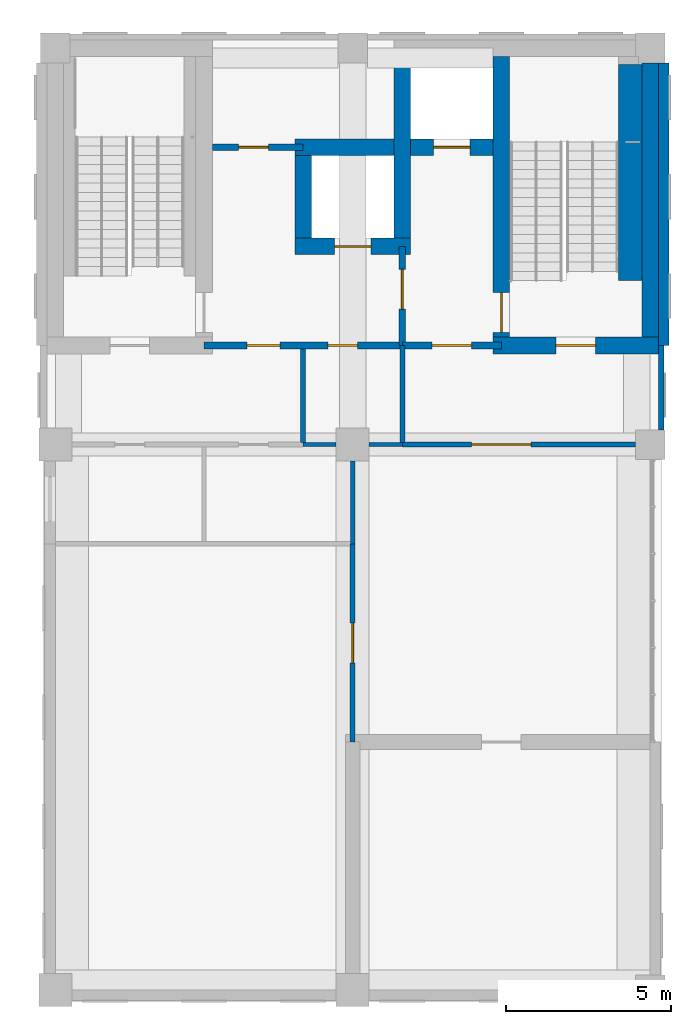
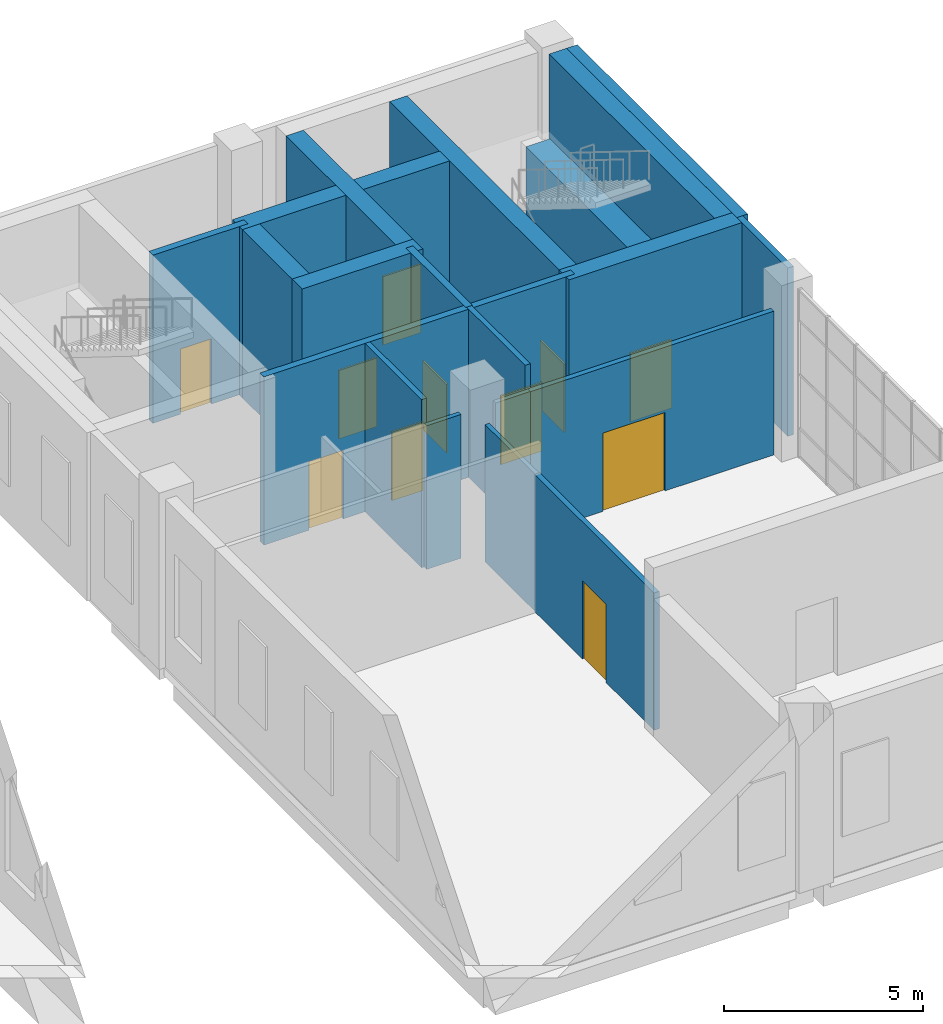
# One storey, part 24 of 37: 21 walls, 11 doors, 11 openings.
"""IFC4 building model written with IfcOpenShell, lengths in metres."""

from ifc_helpers import new_model, si_unit, direction, frame, frame_2d, origin, place, context, subcontext, project, spatial, rectangle, extrude, material, layer, layer_set, type_object, element, fill, save


model = new_model("IFC4")

# Units and contexts
model_context = context("Model", 3, precision=1e-05, world=origin(), true_north=direction((0.0, 1.0)))
body_context = subcontext(model_context, "Body", "Model", "MODEL_VIEW")
ifc_project = project(units=[si_unit("LENGTHUNIT", "METRE"), si_unit("AREAUNIT", "SQUARE_METRE"), si_unit("VOLUMEUNIT", "CUBIC_METRE"), si_unit("PLANEANGLEUNIT", "RADIAN"), si_unit("MASSUNIT", "GRAM", prefix="KILO")], contexts=[model_context])

# Site, building, storey
site_placement = place(None, origin())
site = spatial("IfcSite", under=ifc_project, at=site_placement, CompositionType="ELEMENT")
building_placement = place(site_placement, origin())
building = spatial("IfcBuilding", under=site, at=building_placement, Name="Aurelan Courthouse", CompositionType="ELEMENT")
storey_placement = place(building_placement, frame((0.0, 0.0, 17.39990234375)))
storey = spatial("IfcBuildingStorey", under=building, at=storey_placement, Name="L03", CompositionType="ELEMENT", Elevation=17.39990234375)

# Wall, opening, door
ifc_material_1 = material(Name="Gypsum board on metal studs")
ifc_layer_1 = layer(ifc_material_1, 0.14990234375)
ifc_layer_set_1 = layer_set([ifc_layer_1], Name="Gypsum board on metal studs")
wall_type_1 = type_object("IfcWallType", Name="Corridor partition 150 EI 60", PredefinedType="PARTITIONING", material=ifc_layer_set_1)
wall_1_placement = place(storey_placement, frame((82.5, 54.0, 0.0), z_axis=(0.0, 0.0, 1.0), x_axis=(1.0, 0.0, 0.0)))
wall_1 = element("IfcWall", 1, at=wall_1_placement, inside=storey, type_object=wall_type_1, Name="Corridor partition L03-038", PredefinedType="PARTITIONING", context=body_context, shape_type="SweptSolid", body=[
    extrude(rectangle(XDim=7.050048828125, YDim=0.14990234375, at=frame_2d((3.52490234375, 0.0))), origin(), (0.0, 0.0, 1.0), 4.400146484375),
])
opening_1_placement = place(wall_1_placement, frame((3.900146484375, 0.0, 0.0), z_axis=(0.0, 0.0, 1.0), x_axis=(-1.0, 0.0, 0.0)))
opening_1 = element("IfcOpeningElement", 2, at=opening_1_placement, cuts=wall_1, Name="Opening D-L03-045", PredefinedType="OPENING", context=body_context, shape_type="SweptSolid", body=[
    extrude(rectangle(XDim=1.800048828125, YDim=2.39990234375, at=frame_2d((0.89990234375, 1.199951171875))), frame((0.0, 0.0849609375, 0.0), z_axis=(0.0, -1.0, 0.0), x_axis=(1.0, 0.0, 0.0)), (0.0, 0.0, 1.0), 0.169921875),
])
ifc_material_2 = material(Name="Steel", Category="steel")
door_type_1 = type_object("IfcDoorType", Name="Double door 1800 x 2400 FD60", OperationType="DOUBLE_DOOR_SINGLE_SWING", PredefinedType="DOOR", material=ifc_material_2)
door_1_placement = place(opening_1_placement, origin())
door_1 = element("IfcDoor", 3, at=door_1_placement, inside=storey, type_object=door_type_1, Name="Double door D-L03-045", OperationType="DOUBLE_DOOR_SINGLE_SWING", OverallHeight=2.39990234375, OverallWidth=1.800048828125, PredefinedType="DOOR", context=body_context, shape_type="SweptSolid", body=[
    extrude(rectangle(XDim=1.800048828125, YDim=2.39990234375, at=frame_2d((0.89990234375, 1.199951171875))), frame((0.0, 0.02490234375, 0.0), z_axis=(0.0, -1.0, 0.0), x_axis=(1.0, 0.0, 0.0)), (0.0, 0.0, 1.0), 0.050048828125),
])
fill(opening_1, door_1)

# Walls
wall_2_placement = place(storey_placement, frame((79.5, 54.0625, 0.0), z_axis=(0.0, 0.0, 1.0), x_axis=(0.0, 1.0, 0.0)))
element("IfcWall", 4, at=wall_2_placement, inside=storey, type_object=wall_type_1, Name="Corridor partition L03-075", PredefinedType="PARTITIONING", context=body_context, shape_type="SweptSolid", body=[
    extrude(rectangle(XDim=2.83740234375, YDim=0.14990234375, at=frame_2d((1.418701171875, 0.0))), origin(), (0.0, 0.0, 1.0), 5.150146484375),
])
wall_3_placement = place(storey_placement, frame((82.5, 54.0625, 0.0), z_axis=(0.0, 0.0, 1.0), x_axis=(0.0, 1.0, 0.0)))
element("IfcWall", 5, at=wall_3_placement, inside=storey, type_object=wall_type_1, Name="Corridor partition L03-079", PredefinedType="PARTITIONING", context=body_context, shape_type="SweptSolid", body=[
    extrude(rectangle(XDim=2.9375, YDim=0.14990234375, at=frame_2d((1.46875, 0.0))), origin(), (0.0, 0.0, 1.0), 5.150146484375),
])
ifc_material_3 = material(Name="Limestone cladding", Category="masonry")
ifc_layer_2 = layer(ifc_material_3, 0.050048828125, Name="Facing")
ifc_material_4 = material(Name="Ventilated cavity")
ifc_layer_3 = layer(ifc_material_4, 0.02490234375, ventilated=True, Name="Ventilated cavity")
ifc_material_5 = material(Name="Mineral wool insulation")
ifc_layer_4 = layer(ifc_material_5, 0.02490234375, Name="Insulation")
ifc_material_6 = material(Name="Concrete C30", Category="concrete")
ifc_layer_5 = layer(ifc_material_6, 0.070068359375, Name="Structure")
ifc_layer_set_2 = layer_set([ifc_layer_2, ifc_layer_3, ifc_layer_4, ifc_layer_5], Name="Concrete C30")
wall_type_2 = type_object("IfcWallType", Name="Law Library stone-faced wall 170", PredefinedType="SOLIDWALL", material=ifc_layer_set_2)
wall_4_placement = place(storey_placement, frame((90.3349609375, 54.449951171875, 0.0), z_axis=(0.0, 0.0, 1.0), x_axis=(0.0, 1.0, 0.0)))
element("IfcWall", 6, at=wall_4_placement, inside=storey, type_object=wall_type_2, Name="Facade wall FW-V3-L03-006", PredefinedType="SOLIDWALL", context=body_context, shape_type="SweptSolid", body=[
    extrude(rectangle(XDim=2.550048828125, YDim=0.169921875, at=frame_2d((1.27490234375, 0.0))), origin(), (0.0, 0.0, 1.0), 5.150146484375),
])
ifc_layer_6 = layer(ifc_material_3, 0.090087890625, Name="Facing")
ifc_layer_7 = layer(ifc_material_4, 0.02490234375, ventilated=True, Name="Ventilated cavity")
ifc_layer_8 = layer(ifc_material_5, 0.044921875, Name="Insulation")
ifc_layer_9 = layer(ifc_material_6, 0.159912109375, Name="Structure")
ifc_layer_set_3 = layer_set([ifc_layer_6, ifc_layer_7, ifc_layer_8, ifc_layer_9], Name="Concrete C30")
wall_type_3 = type_object("IfcWallType", Name="Law Library stone-faced wall 320", PredefinedType="SOLIDWALL", material=ifc_layer_set_3)
wall_5_placement = place(storey_placement, frame((90.409912109375, 57.0, 0.0), z_axis=(0.0, 0.0, 1.0), x_axis=(0.0, 1.0, 0.0)))
element("IfcWall", 7, at=wall_5_placement, inside=storey, type_object=wall_type_3, Name="Facade wall FW-V3-L03-007", PredefinedType="SOLIDWALL", context=body_context, shape_type="SweptSolid", body=[
    extrude(rectangle(XDim=8.550048828125, YDim=0.320068359375, at=frame_2d((4.27490234375, 0.0))), origin(), (0.0, 0.0, 1.0), 5.150146484375),
])

# Wall, openings, doors
ifc_material_7 = material(Name="Masonry block", Category="masonry")
ifc_layer_10 = layer(ifc_material_7, 0.199951171875)
ifc_layer_set_4 = layer_set([ifc_layer_10], Name="Masonry block")
wall_type_4 = type_object("IfcWallType", Name="Lift lobby wall 200 EI 60", PredefinedType="PARTITIONING", material=ifc_layer_set_4)
wall_6_placement = place(storey_placement, frame((76.5, 57.0, 0.0), z_axis=(0.0, 0.0, 1.0), x_axis=(1.0, 0.0, 0.0)))
wall_6 = element("IfcWall", 8, at=wall_6_placement, inside=storey, type_object=wall_type_4, Name="Lift lobby wall L03-044", PredefinedType="PARTITIONING", context=body_context, shape_type="SweptSolid", body=[
    extrude(rectangle(XDim=6.0, YDim=0.199951171875, at=frame_2d((3.0, 0.0))), origin(), (0.0, 0.0, 1.0), 5.150146484375),
])
opening_2_placement = place(wall_6_placement, frame((4.64990234375, 0.0, 0.0), z_axis=(0.0, 0.0, 1.0), x_axis=(-1.0, 0.0, 0.0)))
opening_2 = element("IfcOpeningElement", 9, at=opening_2_placement, cuts=wall_6, Name="Opening D-L03-038", PredefinedType="OPENING", context=body_context, shape_type="SweptSolid", body=[
    extrude(rectangle(XDim=0.89990234375, YDim=2.10009765625, at=frame_2d((0.449951171875, 1.050048828125))), frame((0.0, 0.10986328125, 0.0), z_axis=(0.0, -1.0, 0.0), x_axis=(1.0, 0.0, 0.0)), (0.0, 0.0, 1.0), 0.219970703125),
])
opening_3_placement = place(wall_6_placement, frame((1.300048828125, 0.0, 0.0)))
opening_3 = element("IfcOpeningElement", 10, at=opening_3_placement, cuts=wall_6, Name="Opening D-L03-039", PredefinedType="OPENING", context=body_context, shape_type="SweptSolid", body=[
    extrude(rectangle(XDim=1.0, YDim=2.10009765625, at=frame_2d((0.5, 1.050048828125))), frame((0.0, 0.10986328125, 0.0), z_axis=(0.0, -1.0, 0.0), x_axis=(1.0, 0.0, 0.0)), (0.0, 0.0, 1.0), 0.219970703125),
])
door_type_2 = type_object("IfcDoorType", Name="Single door 1000 x 2100 FD60", OperationType="SINGLE_SWING_LEFT", PredefinedType="DOOR", material=ifc_material_2)
door_2_placement = place(opening_3_placement, origin())
door_2 = element("IfcDoor", 11, at=door_2_placement, inside=storey, type_object=door_type_2, Name="Single door D-L03-039", OperationType="SINGLE_SWING_LEFT", OverallHeight=2.10009765625, OverallWidth=1.0, PredefinedType="DOOR", context=body_context, shape_type="SweptSolid", body=[
    extrude(rectangle(XDim=1.0, YDim=2.10009765625, at=frame_2d((0.5, 1.050048828125))), frame((0.0, 0.02490234375, 0.0), z_axis=(0.0, -1.0, 0.0), x_axis=(1.0, 0.0, 0.0)), (0.0, 0.0, 1.0), 0.050048828125),
])
fill(opening_3, door_2)
door_type_3 = type_object("IfcDoorType", Name="Single door 900 x 2100 FD60", OperationType="SINGLE_SWING_LEFT", PredefinedType="DOOR", material=ifc_material_2)
door_3_placement = place(opening_2_placement, origin())
door_3 = element("IfcDoor", 12, at=door_3_placement, inside=storey, type_object=door_type_3, Name="Single door D-L03-038", OperationType="SINGLE_SWING_RIGHT", OverallHeight=2.10009765625, OverallWidth=0.89990234375, PredefinedType="DOOR", context=body_context, shape_type="SweptSolid", body=[
    extrude(rectangle(XDim=0.89990234375, YDim=2.10009765625, at=frame_2d((0.449951171875, 1.050048828125))), frame((0.0, 0.02490234375, 0.0), z_axis=(0.0, -1.0, 0.0), x_axis=(1.0, 0.0, 0.0)), (0.0, 0.0, 1.0), 0.050048828125),
])
fill(opening_2, door_3)

# Wall, opening, door
wall_7_placement = place(storey_placement, frame((82.5, 57.0, 0.0), z_axis=(0.0, 0.0, 1.0), x_axis=(1.0, 0.0, 0.0)))
wall_7 = element("IfcWall", 13, at=wall_7_placement, inside=storey, type_object=wall_type_4, Name="Lift lobby wall L03-045", PredefinedType="PARTITIONING", context=body_context, shape_type="SweptSolid", body=[
    extrude(rectangle(XDim=3.0, YDim=0.199951171875, at=frame_2d((1.5, 0.0))), origin(), (0.0, 0.0, 1.0), 5.150146484375),
])
opening_4_placement = place(wall_7_placement, frame((0.89990234375, 0.0, 0.0)))
opening_4 = element("IfcOpeningElement", 14, at=opening_4_placement, cuts=wall_7, Name="Opening D-L03-040", PredefinedType="OPENING", context=body_context, shape_type="SweptSolid", body=[
    extrude(rectangle(XDim=1.199951171875, YDim=2.10009765625, at=frame_2d((0.60009765625, 1.050048828125))), frame((0.0, 0.10986328125, 0.0), z_axis=(0.0, -1.0, 0.0), x_axis=(1.0, 0.0, 0.0)), (0.0, 0.0, 1.0), 0.219970703125),
])
door_type_4 = type_object("IfcDoorType", Name="Single door 1200 x 2100 FD60", OperationType="SINGLE_SWING_LEFT", PredefinedType="DOOR", material=ifc_material_2)
door_4_placement = place(opening_4_placement, origin())
door_4 = element("IfcDoor", 15, at=door_4_placement, inside=storey, type_object=door_type_4, Name="Single door D-L03-040", OperationType="SINGLE_SWING_LEFT", OverallHeight=2.10009765625, OverallWidth=1.199951171875, PredefinedType="DOOR", context=body_context, shape_type="SweptSolid", body=[
    extrude(rectangle(XDim=1.199951171875, YDim=2.10009765625, at=frame_2d((0.60009765625, 1.050048828125))), frame((0.0, 0.02490234375, 0.0), z_axis=(0.0, -1.0, 0.0), x_axis=(1.0, 0.0, 0.0)), (0.0, 0.0, 1.0), 0.050048828125),
])
fill(opening_4, door_4)

wall_8_placement = place(storey_placement, frame((82.5, 57.0, 0.0), z_axis=(0.0, 0.0, 1.0), x_axis=(0.0, 1.0, 0.0)))
wall_8 = element("IfcWall", 16, at=wall_8_placement, inside=storey, type_object=wall_type_4, Name="Lift lobby wall L03-080", PredefinedType="PARTITIONING", context=body_context, shape_type="SweptSolid", body=[
    extrude(rectangle(XDim=3.0, YDim=0.199951171875, at=frame_2d((1.5, 0.0))), origin(), (0.0, 0.0, 1.0), 5.150146484375),
])
opening_5_placement = place(wall_8_placement, frame((2.300048828125, 0.0, 0.0), z_axis=(0.0, 0.0, 1.0), x_axis=(-1.0, 0.0, 0.0)))
opening_5 = element("IfcOpeningElement", 17, at=opening_5_placement, cuts=wall_8, Name="Opening D-L03-033", PredefinedType="OPENING", context=body_context, shape_type="SweptSolid", body=[
    extrude(rectangle(XDim=1.199951171875, YDim=2.10009765625, at=frame_2d((0.60009765625, 1.050048828125))), frame((0.0, 0.10986328125, 0.0), z_axis=(0.0, -1.0, 0.0), x_axis=(1.0, 0.0, 0.0)), (0.0, 0.0, 1.0), 0.219970703125),
])
door_5_placement = place(opening_5_placement, origin())
door_5 = element("IfcDoor", 18, at=door_5_placement, inside=storey, type_object=door_type_4, Name="Single door D-L03-033", OperationType="SINGLE_SWING_LEFT", OverallHeight=2.10009765625, OverallWidth=1.199951171875, PredefinedType="DOOR", context=body_context, shape_type="SweptSolid", body=[
    extrude(rectangle(XDim=1.199951171875, YDim=2.10009765625, at=frame_2d((0.60009765625, 1.050048828125))), frame((0.0, 0.02490234375, 0.0), z_axis=(0.0, -1.0, 0.0), x_axis=(1.0, 0.0, 0.0)), (0.0, 0.0, 1.0), 0.050048828125),
])
fill(opening_5, door_5)

ifc_layer_11 = layer(ifc_material_1, 0.14990234375)
ifc_layer_set_5 = layer_set([ifc_layer_11], Name="Gypsum board on metal studs")
wall_type_5 = type_object("IfcWallType", Name="Partition 150 NOT RATED", PredefinedType="PARTITIONING", material=ifc_layer_set_5)
wall_9_placement = place(storey_placement, frame((81.0, 45.0, 0.0), z_axis=(0.0, 0.0, 1.0), x_axis=(0.0, 1.0, 0.0)))
wall_9 = element("IfcWall", 19, at=wall_9_placement, inside=storey, type_object=wall_type_5, Name="Partition L03-077", PredefinedType="PARTITIONING", context=body_context, shape_type="SweptSolid", body=[
    extrude(rectangle(XDim=6.0, YDim=0.14990234375, at=frame_2d((3.0, 0.0))), origin(), (0.0, 0.0, 1.0), 4.2001953125),
])
opening_6_placement = place(wall_9_placement, frame((3.599853515625, 0.0, 0.0), z_axis=(0.0, 0.0, 1.0), x_axis=(-1.0, 0.0, 0.0)))
opening_6 = element("IfcOpeningElement", 20, at=opening_6_placement, cuts=wall_9, Name="Opening D-L03-047", PredefinedType="OPENING", context=body_context, shape_type="SweptSolid", body=[
    extrude(rectangle(XDim=1.199951171875, YDim=2.39990234375, at=frame_2d((0.60009765625, 1.199951171875))), frame((0.0, 0.0849609375, 0.0), z_axis=(0.0, -1.0, 0.0), x_axis=(1.0, 0.0, 0.0)), (0.0, 0.0, 1.0), 0.169921875),
])
ifc_material_8 = material(Name="Timber", Category="wood")
door_type_5 = type_object("IfcDoorType", Name="Single door 1200 x 2400 NOT RATED", OperationType="SINGLE_SWING_LEFT", PredefinedType="DOOR", material=ifc_material_8)
door_6_placement = place(opening_6_placement, origin())
door_6 = element("IfcDoor", 21, at=door_6_placement, inside=storey, type_object=door_type_5, Name="Single door D-L03-047", OperationType="SINGLE_SWING_RIGHT", OverallHeight=2.39990234375, OverallWidth=1.199951171875, PredefinedType="DOOR", context=body_context, shape_type="SweptSolid", body=[
    extrude(rectangle(XDim=1.199951171875, YDim=2.39990234375, at=frame_2d((0.60009765625, 1.199951171875))), frame((0.0, 0.02490234375, 0.0), z_axis=(0.0, -1.0, 0.0), x_axis=(1.0, 0.0, 0.0)), (0.0, 0.0, 1.0), 0.050048828125),
])
fill(opening_6, door_6)

ifc_material_9 = material(Name="Concrete C50", Category="concrete")
ifc_layer_12 = layer(ifc_material_9, 0.5)
ifc_layer_set_6 = layer_set([ifc_layer_12], Name="Concrete C50")
wall_type_6 = type_object("IfcWallType", Name="RC shear wall 500", PredefinedType="SHEAR", material=ifc_layer_set_6)
wall_10_placement = place(storey_placement, frame((85.25, 57.0, 0.0), z_axis=(0.0, 0.0, 1.0), x_axis=(1.0, 0.0, 0.0)))
wall_10 = element("IfcWall", 22, at=wall_10_placement, inside=storey, type_object=wall_type_6, Name="Core wall SW-L03-031", PredefinedType="SHEAR", context=body_context, shape_type="SweptSolid", body=[
    extrude(rectangle(XDim=5.0, YDim=0.5, at=frame_2d((2.5, 0.0))), origin(), (0.0, 0.0, 1.0), 5.150146484375),
])
opening_7_placement = place(wall_10_placement, frame((1.89990234375, 0.0, 0.0)))
opening_7 = element("IfcOpeningElement", 23, at=opening_7_placement, cuts=wall_10, Name="Opening D-L03-042", PredefinedType="OPENING", context=body_context, shape_type="SweptSolid", body=[
    extrude(rectangle(XDim=1.199951171875, YDim=2.10009765625, at=frame_2d((0.60009765625, 1.050048828125))), frame((0.0, 0.260009765625, 0.0), z_axis=(0.0, -1.0, 0.0), x_axis=(1.0, 0.0, 0.0)), (0.0, 0.0, 1.0), 0.52001953125),
])
door_type_6 = type_object("IfcDoorType", Name="Single door 1200 x 2100 FD90", OperationType="SINGLE_SWING_LEFT", PredefinedType="DOOR", material=ifc_material_2)
door_7_placement = place(opening_7_placement, origin())
door_7 = element("IfcDoor", 24, at=door_7_placement, inside=storey, type_object=door_type_6, Name="Single door D-L03-042", OperationType="SINGLE_SWING_LEFT", OverallHeight=2.10009765625, OverallWidth=1.199951171875, PredefinedType="DOOR", context=body_context, shape_type="SweptSolid", body=[
    extrude(rectangle(XDim=1.199951171875, YDim=2.10009765625, at=frame_2d((0.60009765625, 1.050048828125))), frame((0.0, 0.02490234375, 0.0), z_axis=(0.0, -1.0, 0.0), x_axis=(1.0, 0.0, 0.0)), (0.0, 0.0, 1.0), 0.050048828125),
])
fill(opening_7, door_7)

wall_11_placement = place(storey_placement, frame((85.5, 57.25, 0.0), z_axis=(0.0, 0.0, 1.0), x_axis=(0.0, 1.0, 0.0)))
wall_11 = element("IfcWall", 25, at=wall_11_placement, inside=storey, type_object=wall_type_6, Name="Core wall SW-L03-043", PredefinedType="SHEAR", context=body_context, shape_type="SweptSolid", body=[
    extrude(rectangle(XDim=8.5, YDim=0.5, at=frame_2d((4.25, 0.0))), origin(), (0.0, 0.0, 1.0), 5.150146484375),
])
opening_8_placement = place(wall_11_placement, frame((1.349853515625, 0.0, 0.0), z_axis=(0.0, 0.0, 1.0), x_axis=(-1.0, 0.0, 0.0)))
opening_8 = element("IfcOpeningElement", 26, at=opening_8_placement, cuts=wall_11, Name="Opening D-L03-037", PredefinedType="OPENING", context=body_context, shape_type="SweptSolid", body=[
    extrude(rectangle(XDim=1.199951171875, YDim=2.10009765625, at=frame_2d((0.60009765625, 1.050048828125))), frame((0.0, 0.260009765625, 0.0), z_axis=(0.0, -1.0, 0.0), x_axis=(1.0, 0.0, 0.0)), (0.0, 0.0, 1.0), 0.52001953125),
])
door_8_placement = place(opening_8_placement, origin())
door_8 = element("IfcDoor", 27, at=door_8_placement, inside=storey, type_object=door_type_6, Name="Single door D-L03-037", OperationType="SINGLE_SWING_RIGHT", OverallHeight=2.10009765625, OverallWidth=1.199951171875, PredefinedType="DOOR", context=body_context, shape_type="SweptSolid", body=[
    extrude(rectangle(XDim=1.199951171875, YDim=2.10009765625, at=frame_2d((0.60009765625, 1.050048828125))), frame((0.0, 0.02490234375, 0.0), z_axis=(0.0, -1.0, 0.0), x_axis=(1.0, 0.0, 0.0)), (0.0, 0.0, 1.0), 0.050048828125),
])
fill(opening_8, door_8)

# Wall
wall_12_placement = place(storey_placement, frame((90.0, 57.25, 0.0), z_axis=(0.0, 0.0, 1.0), x_axis=(0.0, 1.0, 0.0)))
element("IfcWall", 28, at=wall_12_placement, inside=storey, type_object=wall_type_6, Name="Core wall SW-L03-044", PredefinedType="SHEAR", context=body_context, shape_type="SweptSolid", body=[
    extrude(rectangle(XDim=8.300048828125, YDim=0.5, at=frame_2d((4.14990234375, 0.0))), origin(), (0.0, 0.0, 1.0), 5.150146484375),
])

# Wall, opening, door
wall_13_placement = place(storey_placement, frame((79.25, 60.0, 0.0), z_axis=(0.0, 0.0, 1.0), x_axis=(1.0, 0.0, 0.0)))
wall_13 = element("IfcWall", 29, at=wall_13_placement, inside=storey, type_object=wall_type_6, Name="Core wall SW-L03-049", PredefinedType="SHEAR", context=body_context, shape_type="SweptSolid", body=[
    extrude(rectangle(XDim=3.5, YDim=0.5, at=frame_2d((1.75, 0.0))), origin(), (0.0, 0.0, 1.0), 5.150146484375),
])
opening_9_placement = place(wall_13_placement, frame((1.199951171875, 0.0, 0.0)))
opening_9 = element("IfcOpeningElement", 30, at=opening_9_placement, cuts=wall_13, Name="Opening LD-V3-P1-L03", PredefinedType="OPENING", context=body_context, shape_type="SweptSolid", body=[
    extrude(rectangle(XDim=1.10009765625, YDim=2.10009765625, at=frame_2d((0.550048828125, 1.050048828125))), frame((0.0, 0.260009765625, 0.0), z_axis=(0.0, -1.0, 0.0), x_axis=(1.0, 0.0, 0.0)), (0.0, 0.0, 1.0), 0.52001953125),
])
door_type_7 = type_object("IfcDoorType", Name="Lift landing door 1100 x 2100 FD90", OperationType="SLIDING_TO_LEFT", PredefinedType="DOOR", material=ifc_material_2)
door_9_placement = place(opening_9_placement, origin())
door_9 = element("IfcDoor", 31, at=door_9_placement, inside=storey, type_object=door_type_7, Name="Lift landing door LD-V3-P1-L03", OperationType="SLIDING_TO_LEFT", OverallHeight=2.10009765625, OverallWidth=1.10009765625, PredefinedType="DOOR", context=body_context, shape_type="SweptSolid", body=[
    extrude(rectangle(XDim=1.10009765625, YDim=2.10009765625, at=frame_2d((0.550048828125, 1.050048828125))), frame((0.0, 0.02490234375, 0.0), z_axis=(0.0, -1.0, 0.0), x_axis=(1.0, 0.0, 0.0)), (0.0, 0.0, 1.0), 0.050048828125),
])
fill(opening_9, door_9)

# Walls
wall_14_placement = place(storey_placement, frame((79.5, 60.25, 0.0), z_axis=(0.0, 0.0, 1.0), x_axis=(0.0, 1.0, 0.0)))
element("IfcWall", 32, at=wall_14_placement, inside=storey, type_object=wall_type_6, Name="Core wall SW-L03-054", PredefinedType="SHEAR", context=body_context, shape_type="SweptSolid", body=[
    extrude(rectangle(XDim=2.5, YDim=0.5, at=frame_2d((1.25, 0.0))), origin(), (0.0, 0.0, 1.0), 5.150146484375),
])
wall_15_placement = place(storey_placement, frame((82.5, 60.25, 0.0), z_axis=(0.0, 0.0, 1.0), x_axis=(0.0, 1.0, 0.0)))
element("IfcWall", 33, at=wall_15_placement, inside=storey, type_object=wall_type_6, Name="Core wall SW-L03-055", PredefinedType="SHEAR", context=body_context, shape_type="SweptSolid", body=[
    extrude(rectangle(XDim=5.5, YDim=0.5, at=frame_2d((2.75, 0.0))), origin(), (0.0, 0.0, 1.0), 5.150146484375),
])

# Wall, opening, door
wall_16_placement = place(storey_placement, frame((79.25, 63.0, 0.0), z_axis=(0.0, 0.0, 1.0), x_axis=(1.0, 0.0, 0.0)))
wall_16 = element("IfcWall", 34, at=wall_16_placement, inside=storey, type_object=wall_type_6, Name="Core wall SW-L03-059", PredefinedType="SHEAR", context=body_context, shape_type="SweptSolid", body=[
    extrude(rectangle(XDim=6.0, YDim=0.5, at=frame_2d((3.0, 0.0))), origin(), (0.0, 0.0, 1.0), 5.150146484375),
])
opening_10_placement = place(wall_16_placement, frame((4.199951171875, 0.0, 0.0)))
opening_10 = element("IfcOpeningElement", 35, at=opening_10_placement, cuts=wall_16, Name="Opening LD-V3-F1-L03", PredefinedType="OPENING", context=body_context, shape_type="SweptSolid", body=[
    extrude(rectangle(XDim=1.10009765625, YDim=2.10009765625, at=frame_2d((0.550048828125, 1.050048828125))), frame((0.0, 0.260009765625, 0.0), z_axis=(0.0, -1.0, 0.0), x_axis=(1.0, 0.0, 0.0)), (0.0, 0.0, 1.0), 0.52001953125),
])
door_10_placement = place(opening_10_placement, origin())
door_10 = element("IfcDoor", 36, at=door_10_placement, inside=storey, type_object=door_type_7, Name="Lift landing door LD-V3-F1-L03", OperationType="SLIDING_TO_LEFT", OverallHeight=2.10009765625, OverallWidth=1.10009765625, PredefinedType="DOOR", context=body_context, shape_type="SweptSolid", body=[
    extrude(rectangle(XDim=1.10009765625, YDim=2.10009765625, at=frame_2d((0.550048828125, 1.050048828125))), frame((0.0, 0.02490234375, 0.0), z_axis=(0.0, -1.0, 0.0), x_axis=(1.0, 0.0, 0.0)), (0.0, 0.0, 1.0), 0.050048828125),
])
fill(opening_10, door_10)

ifc_layer_13 = layer(ifc_material_6, 0.199951171875)
ifc_layer_set_7 = layer_set([ifc_layer_13], Name="Concrete C30")
wall_type_7 = type_object("IfcWallType", Name="Shaft wall 200 EI 120 load-bearing", PredefinedType="SHEAR", material=ifc_layer_set_7)
wall_17_placement = place(storey_placement, frame((76.75, 63.0, 0.0), z_axis=(0.0, 0.0, 1.0), x_axis=(1.0, 0.0, 0.0)))
wall_17 = element("IfcWall", 37, at=wall_17_placement, inside=storey, type_object=wall_type_7, Name="Shaft wall L03-050", PredefinedType="SHEAR", context=body_context, shape_type="SweptSolid", body=[
    extrude(rectangle(XDim=2.75, YDim=0.199951171875, at=frame_2d((1.375, 0.0))), origin(), (0.0, 0.0, 1.0), 5.150146484375),
])
opening_11_placement = place(wall_17_placement, frame((0.800048828125, 0.0, 0.0)))
opening_11 = element("IfcOpeningElement", 38, at=opening_11_placement, cuts=wall_17, Name="Opening D-L03-035", PredefinedType="OPENING", context=body_context, shape_type="SweptSolid", body=[
    extrude(rectangle(XDim=0.89990234375, YDim=2.0, at=frame_2d((0.449951171875, 1.0))), frame((0.0, 0.10986328125, 0.0), z_axis=(0.0, -1.0, 0.0), x_axis=(1.0, 0.0, 0.0)), (0.0, 0.0, 1.0), 0.219970703125),
])
door_type_8 = type_object("IfcDoorType", Name="Single door 900 x 2000 FD90", OperationType="SINGLE_SWING_LEFT", PredefinedType="DOOR", material=ifc_material_2)
door_11_placement = place(opening_11_placement, origin())
door_11 = element("IfcDoor", 39, at=door_11_placement, inside=storey, type_object=door_type_8, Name="Single door D-L03-035", OperationType="SINGLE_SWING_LEFT", OverallHeight=2.0, OverallWidth=0.89990234375, PredefinedType="DOOR", context=body_context, shape_type="SweptSolid", body=[
    extrude(rectangle(XDim=0.89990234375, YDim=2.0, at=frame_2d((0.449951171875, 1.0))), frame((0.0, 0.02490234375, 0.0), z_axis=(0.0, -1.0, 0.0), x_axis=(1.0, 0.0, 0.0)), (0.0, 0.0, 1.0), 0.050048828125),
])
fill(opening_11, door_11)

# Walls
ifc_layer_14 = layer(ifc_material_6, 0.699951171875)
ifc_layer_set_8 = layer_set([ifc_layer_14], Name="Concrete C30")
wall_type_8 = type_object("IfcWallType", Name="Stair well wall 700 EI 120 load-bearing", PredefinedType="SHEAR", material=ifc_layer_set_8)
wall_18_placement = place(storey_placement, frame((89.39990234375, 58.9599609375, 0.0), z_axis=(0.0, 0.0, 1.0), x_axis=(0.0, 1.0, 0.0)))
element("IfcWall", 40, at=wall_18_placement, inside=storey, type_object=wall_type_8, Name="Stair well wall ST-3B-L03 B", PredefinedType="SHEAR", context=body_context, shape_type="SweptSolid", body=[
    extrude(rectangle(XDim=6.5400390625, YDim=0.699951171875, at=frame_2d((3.27001953125, 0.0))), origin(), (0.0, 0.0, 1.0), 2.587158203125),
])
ifc_material_10 = material(Name="Moisture-resistant board on metal studs")
ifc_layer_15 = layer(ifc_material_10, 0.125)
ifc_layer_set_9 = layer_set([ifc_layer_15], Name="Moisture-resistant board on metal studs")
wall_type_9 = type_object("IfcWallType", Name="Wet-area partition 125 NOT RATED", PredefinedType="PARTITIONING", material=ifc_layer_set_9)
for number, where, z_axis, x_axis, name in (
    (41, (79.5, 54.0, 0.0), (0.0, 0.0, 1.0), (1.0, 0.0, 0.0), "Wet-area partition L03-036"),
    (42, (81.5, 54.0, 0.0), (0.0, 0.0, 1.0), (1.0, 0.0, 0.0), "Wet-area partition L03-037"),
):
    element("IfcWall", number, at=place(storey_placement, frame(where, z_axis=z_axis, x_axis=x_axis)), inside=storey, type_object=wall_type_9, Name=name, PredefinedType="PARTITIONING", context=body_context, shape_type="SweptSolid", body=[
        extrude(rectangle(XDim=1.0, YDim=0.125, at=frame_2d((0.5, 0.0))), origin(), (0.0, 0.0, 1.0), 4.400146484375),
    ])
wall_19_placement = place(storey_placement, frame((81.0, 51.0, 0.0), z_axis=(0.0, 0.0, 1.0), x_axis=(0.0, 1.0, 0.0)))
element("IfcWall", 43, at=wall_19_placement, inside=storey, type_object=wall_type_9, Name="Wet-area partition L03-078", PredefinedType="PARTITIONING", context=body_context, shape_type="SweptSolid", body=[
    extrude(rectangle(XDim=2.5, YDim=0.125, at=frame_2d((1.25, 0.0))), origin(), (0.0, 0.0, 1.0), 4.2001953125),
])

save(model, "model.ifc")
